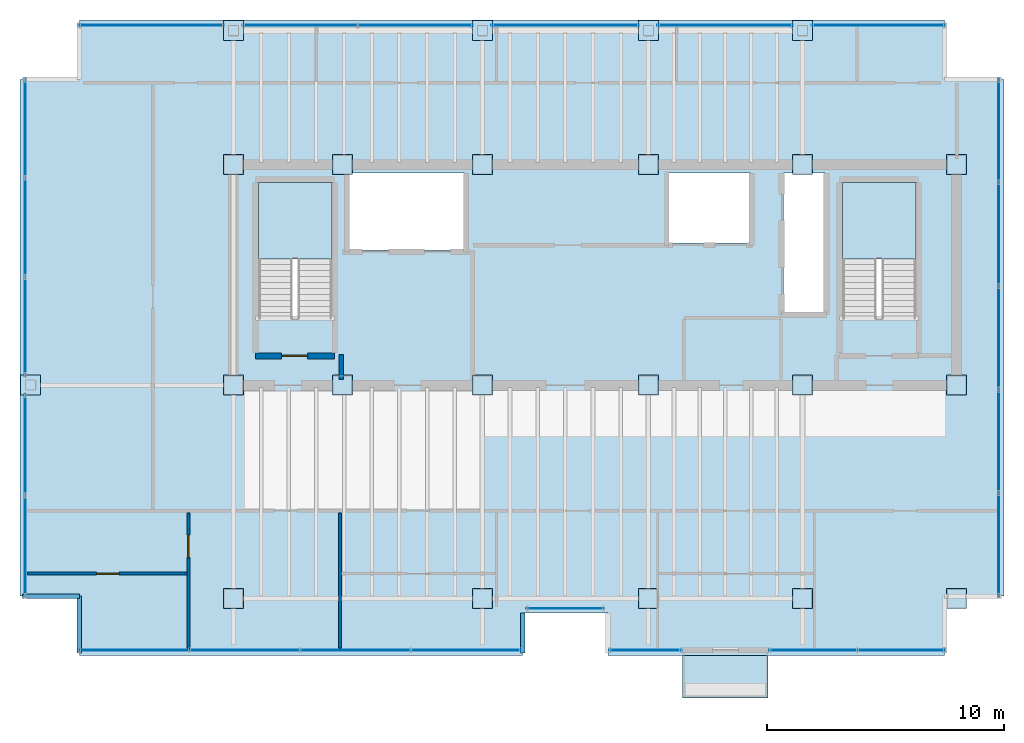
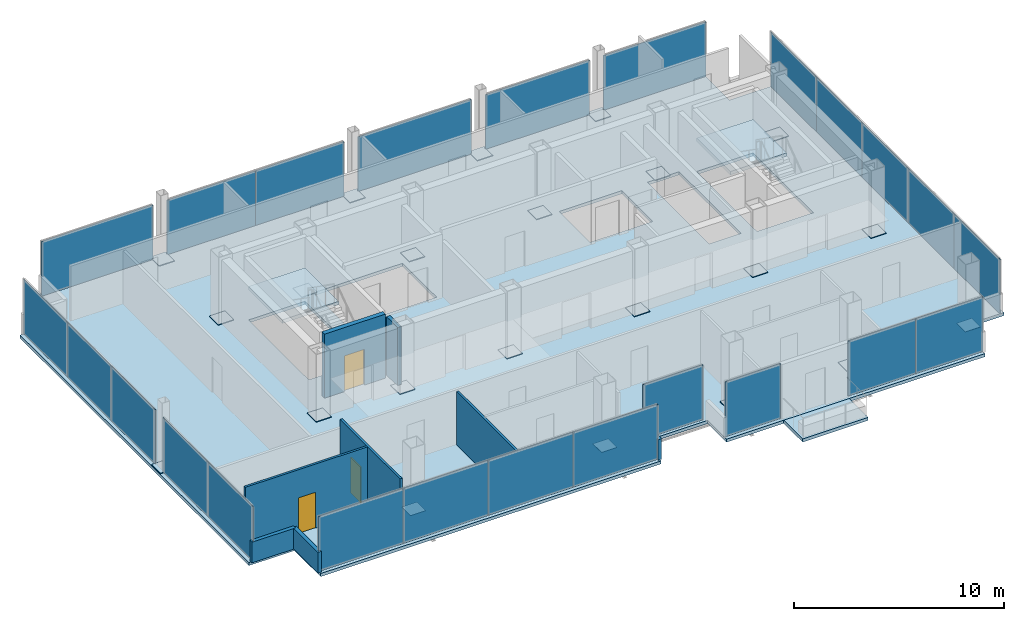
# One storey, part 14 of 17: 46 plates, 8 walls, 4 slabs, 3 doors, 8 openings, 14 elements without a shape of their own.
"""IFC4 building model written with IfcOpenShell, lengths in metres."""

from ifc_helpers import new_model, si_unit, direction, frame, frame_2d, origin, origin_2d, place, context, subcontext, project, spatial, polyline, rectangle, outline, extrude, material, layer, layer_set, type_object, element, fill, aggregate, save


model = new_model("IFC4")

# Units and contexts
model_context = context("Model", 3, precision=1e-05, world=origin(), true_north=direction((0.0, 1.0)))
body_context = subcontext(model_context, "Body", "Model", "MODEL_VIEW")
ifc_project = project(units=[si_unit("LENGTHUNIT", "METRE"), si_unit("AREAUNIT", "SQUARE_METRE"), si_unit("VOLUMEUNIT", "CUBIC_METRE"), si_unit("PLANEANGLEUNIT", "RADIAN"), si_unit("MASSUNIT", "GRAM", prefix="KILO")], contexts=[model_context])

# Site, building, storey
site_placement = place(None, origin())
site = spatial("IfcSite", under=ifc_project, at=site_placement, CompositionType="ELEMENT")
building_placement = place(site_placement, origin())
building = spatial("IfcBuilding", under=site, at=building_placement, Name="Noeulbin Bourse Tower", CompositionType="ELEMENT")
storey_placement = place(building_placement, frame((0.0, 0.0, 265.699951171875)))
storey = spatial("IfcBuildingStorey", under=building, at=storey_placement, Name="L66", CompositionType="ELEMENT", Elevation=265.699951171875)

# Curtain wall, plate
ifc_material_1 = material(Name="High-Selectivity Low-Iron Glazing", Category="glass")
curtain_wall_type = type_object("IfcCurtainWallType", Name="CW-SYS-4", PredefinedType="NOTDEFINED", material=ifc_material_1)
curtain_wall_1_placement = place(storey_placement, origin())
curtain_wall_1 = element("IfcCurtainWall", 1, at=curtain_wall_1_placement, inside=storey, type_object=curtain_wall_type, Name="Unitised Curtain Wall CW-L66-SREC", PredefinedType="NOTDEFINED")
ifc_layer_1 = layer(ifc_material_1, 0.035888671875)
ifc_layer_set_1 = layer_set([ifc_layer_1], Name="High-Selectivity Low-Iron Glazing")
plate_type_1 = type_object("IfcPlateType", Name="CW-SYS-4-PNL", PredefinedType="CURTAIN_PANEL", material=ifc_layer_set_1)
plate_1_placement = place(storey_placement, frame((27.5, 19.580078125, 0.0), z_axis=(0.0, 0.0, 1.0), x_axis=(1.0, 0.0, 0.0)))
plate_1 = element("IfcPlate", 2, at=plate_1_placement, type_object=plate_type_1, Name="Glazed Curtain Panel CW-L66-SREC-P00", PredefinedType="CURTAIN_PANEL", context=body_context, shape_type="SweptSolid", body=[
    extrude(rectangle(XDim=3.300048828125, YDim=0.035888671875, at=origin_2d()), origin(), (0.0, 0.0, 1.0), 3.179931640625),
])
aggregate(curtain_wall_1, [plate_1])

# Curtain wall, plates
curtain_wall_2_placement = place(storey_placement, origin())
curtain_wall_2 = element("IfcCurtainWall", 3, at=curtain_wall_2_placement, inside=storey, type_object=curtain_wall_type, Name="Unitised Curtain Wall CW-L66-S1", PredefinedType="NOTDEFINED")
plate_2_placement = place(storey_placement, frame((9.313720703125, 17.820068359375, 0.0), z_axis=(0.0, 0.0, 1.0), x_axis=(1.0, 0.0, 0.0)))
plate_2 = element("IfcPlate", 4, at=plate_2_placement, type_object=plate_type_1, Name="Glazed Curtain Panel CW-L66-S1-P00", PredefinedType="CURTAIN_PANEL", context=body_context, shape_type="SweptSolid", body=[
    extrude(rectangle(XDim=4.66748046875, YDim=0.035888671875, at=origin_2d()), origin(), (0.0, 0.0, 1.0), 3.179931640625),
])
plate_3_placement = place(storey_placement, frame((13.981201171875, 17.820068359375, 0.0), z_axis=(0.0, 0.0, 1.0), x_axis=(1.0, 0.0, 0.0)))
plate_3 = element("IfcPlate", 5, at=plate_3_placement, type_object=plate_type_1, Name="Glazed Curtain Panel CW-L66-S1-P01", PredefinedType="CURTAIN_PANEL", context=body_context, shape_type="SweptSolid", body=[
    extrude(rectangle(XDim=4.66748046875, YDim=0.035888671875, at=origin_2d()), origin(), (0.0, 0.0, 1.0), 3.179931640625),
])
plate_4_placement = place(storey_placement, frame((18.648681640625, 17.820068359375, 0.0), z_axis=(0.0, 0.0, 1.0), x_axis=(1.0, 0.0, 0.0)))
plate_4 = element("IfcPlate", 6, at=plate_4_placement, type_object=plate_type_1, Name="Glazed Curtain Panel CW-L66-S1-P02", PredefinedType="CURTAIN_PANEL", context=body_context, shape_type="SweptSolid", body=[
    extrude(rectangle(XDim=4.66748046875, YDim=0.035888671875, at=origin_2d()), origin(), (0.0, 0.0, 1.0), 3.179931640625),
])
plate_5_placement = place(storey_placement, frame((23.31640625, 17.820068359375, 0.0), z_axis=(0.0, 0.0, 1.0), x_axis=(1.0, 0.0, 0.0)))
plate_5 = element("IfcPlate", 7, at=plate_5_placement, type_object=plate_type_1, Name="Glazed Curtain Panel CW-L66-S1-P03", PredefinedType="CURTAIN_PANEL", context=body_context, shape_type="SweptSolid", body=[
    extrude(rectangle(XDim=4.66748046875, YDim=0.035888671875, at=origin_2d()), origin(), (0.0, 0.0, 1.0), 3.179931640625),
])
aggregate(curtain_wall_2, [plate_2, plate_3, plate_4, plate_5])

# Curtain wall, plate
curtain_wall_3_placement = place(storey_placement, origin())
curtain_wall_3 = element("IfcCurtainWall", 8, at=curtain_wall_3_placement, inside=storey, type_object=curtain_wall_type, Name="Unitised Curtain Wall CW-L66-S2", PredefinedType="NOTDEFINED")
plate_6_placement = place(storey_placement, frame((30.875, 17.820068359375, 0.0), z_axis=(0.0, 0.0, 1.0), x_axis=(1.0, 0.0, 0.0)))
plate_6 = element("IfcPlate", 9, at=plate_6_placement, type_object=plate_type_1, Name="Glazed Curtain Panel CW-L66-S2-P00", PredefinedType="CURTAIN_PANEL", context=body_context, shape_type="SweptSolid", body=[
    extrude(rectangle(XDim=3.050048828125, YDim=0.035888671875, at=origin_2d()), origin(), (0.0, 0.0, 1.0), 3.179931640625),
])
aggregate(curtain_wall_3, [plate_6])

# Curtain wall, plates
curtain_wall_4_placement = place(storey_placement, origin())
curtain_wall_4 = element("IfcCurtainWall", 10, at=curtain_wall_4_placement, inside=storey, type_object=curtain_wall_type, Name="Unitised Curtain Wall CW-L66-S3", PredefinedType="NOTDEFINED")
plate_7_placement = place(storey_placement, frame((37.955078125, 17.820068359375, 0.0), z_axis=(0.0, 0.0, 1.0), x_axis=(1.0, 0.0, 0.0)))
plate_7 = element("IfcPlate", 11, at=plate_7_placement, type_object=plate_type_1, Name="Glazed Curtain Panel CW-L66-S3-P00", PredefinedType="CURTAIN_PANEL", context=body_context, shape_type="SweptSolid", body=[
    extrude(rectangle(XDim=3.7099609375, YDim=0.035888671875, at=origin_2d()), origin(), (0.0, 0.0, 1.0), 3.179931640625),
])
plate_8_placement = place(storey_placement, frame((41.6650390625, 17.820068359375, 0.0), z_axis=(0.0, 0.0, 1.0), x_axis=(1.0, 0.0, 0.0)))
plate_8 = element("IfcPlate", 12, at=plate_8_placement, type_object=plate_type_1, Name="Glazed Curtain Panel CW-L66-S3-P01", PredefinedType="CURTAIN_PANEL", context=body_context, shape_type="SweptSolid", body=[
    extrude(rectangle(XDim=3.7099609375, YDim=0.035888671875, at=origin_2d()), origin(), (0.0, 0.0, 1.0), 3.179931640625),
])
aggregate(curtain_wall_4, [plate_7, plate_8])

# Curtain wall, plate
curtain_wall_5_placement = place(storey_placement, origin())
curtain_wall_5 = element("IfcCurtainWall", 13, at=curtain_wall_5_placement, inside=storey, type_object=curtain_wall_type, Name="Unitised Curtain Wall CW-L66-N-S1", PredefinedType="NOTDEFINED")
plate_9_placement = place(storey_placement, frame((10.047607421875, 44.179931640625, 0.0), z_axis=(0.0, 0.0, 1.0), x_axis=(1.0, 0.0, 0.0)))
plate_9 = element("IfcPlate", 14, at=plate_9_placement, type_object=plate_type_1, Name="Glazed Curtain Panel CW-L66-N-S1-P00", PredefinedType="CURTAIN_PANEL", context=body_context, shape_type="SweptSolid", body=[
    extrude(rectangle(XDim=6.135009765625, YDim=0.035888671875, at=origin_2d()), origin(), (0.0, 0.0, 1.0), 3.179931640625),
])
aggregate(curtain_wall_5, [plate_9])

# Curtain wall, plates
curtain_wall_6_placement = place(storey_placement, origin())
curtain_wall_6 = element("IfcCurtainWall", 15, at=curtain_wall_6_placement, inside=storey, type_object=curtain_wall_type, Name="Unitised Curtain Wall CW-L66-N-S2", PredefinedType="NOTDEFINED")
plate_10_placement = place(storey_placement, frame((16.3173828125, 44.179931640625, 0.0), z_axis=(0.0, 0.0, 1.0), x_axis=(1.0, 0.0, 0.0)))
plate_10 = element("IfcPlate", 16, at=plate_10_placement, type_object=plate_type_1, Name="Glazed Curtain Panel CW-L66-N-S2-P00", PredefinedType="CURTAIN_PANEL", context=body_context, shape_type="SweptSolid", body=[
    extrude(rectangle(XDim=4.864990234375, YDim=0.035888671875, at=origin_2d()), origin(), (0.0, 0.0, 1.0), 3.179931640625),
])
plate_11_placement = place(storey_placement, frame((21.1826171875, 44.179931640625, 0.0), z_axis=(0.0, 0.0, 1.0), x_axis=(1.0, 0.0, 0.0)))
plate_11 = element("IfcPlate", 17, at=plate_11_placement, type_object=plate_type_1, Name="Glazed Curtain Panel CW-L66-N-S2-P01", PredefinedType="CURTAIN_PANEL", context=body_context, shape_type="SweptSolid", body=[
    extrude(rectangle(XDim=4.864990234375, YDim=0.035888671875, at=origin_2d()), origin(), (0.0, 0.0, 1.0), 3.179931640625),
])
aggregate(curtain_wall_6, [plate_10, plate_11])

# Curtain wall, plate
curtain_wall_7_placement = place(storey_placement, origin())
curtain_wall_7 = element("IfcCurtainWall", 18, at=curtain_wall_7_placement, inside=storey, type_object=curtain_wall_type, Name="Unitised Curtain Wall CW-L66-N-S3", PredefinedType="NOTDEFINED")
plate_12_placement = place(storey_placement, frame((27.5, 44.179931640625, 0.0), z_axis=(0.0, 0.0, 1.0), x_axis=(1.0, 0.0, 0.0)))
plate_12 = element("IfcPlate", 19, at=plate_12_placement, type_object=plate_type_1, Name="Glazed Curtain Panel CW-L66-N-S3-P00", PredefinedType="CURTAIN_PANEL", context=body_context, shape_type="SweptSolid", body=[
    extrude(rectangle(XDim=6.22998046875, YDim=0.035888671875, at=origin_2d()), origin(), (0.0, 0.0, 1.0), 3.179931640625),
])
aggregate(curtain_wall_7, [plate_12])

curtain_wall_8_placement = place(storey_placement, origin())
curtain_wall_8 = element("IfcCurtainWall", 20, at=curtain_wall_8_placement, inside=storey, type_object=curtain_wall_type, Name="Unitised Curtain Wall CW-L66-N-S4", PredefinedType="NOTDEFINED")
plate_13_placement = place(storey_placement, frame((34.25, 44.179931640625, 0.0), z_axis=(0.0, 0.0, 1.0), x_axis=(1.0, 0.0, 0.0)))
plate_13 = element("IfcPlate", 21, at=plate_13_placement, type_object=plate_type_1, Name="Glazed Curtain Panel CW-L66-N-S4-P00", PredefinedType="CURTAIN_PANEL", context=body_context, shape_type="SweptSolid", body=[
    extrude(rectangle(XDim=5.72998046875, YDim=0.035888671875, at=origin_2d()), origin(), (0.0, 0.0, 1.0), 3.179931640625),
])
aggregate(curtain_wall_8, [plate_13])

curtain_wall_9_placement = place(storey_placement, origin())
curtain_wall_9 = element("IfcCurtainWall", 22, at=curtain_wall_9_placement, inside=storey, type_object=curtain_wall_type, Name="Unitised Curtain Wall CW-L66-N-S5", PredefinedType="NOTDEFINED")
plate_14_placement = place(storey_placement, frame((40.702392578125, 44.179931640625, 0.0), z_axis=(0.0, 0.0, 1.0), x_axis=(1.0, 0.0, 0.0)))
plate_14 = element("IfcPlate", 23, at=plate_14_placement, type_object=plate_type_1, Name="Glazed Curtain Panel CW-L66-N-S5-P00", PredefinedType="CURTAIN_PANEL", context=body_context, shape_type="SweptSolid", body=[
    extrude(rectangle(XDim=5.635009765625, YDim=0.035888671875, at=origin_2d()), origin(), (0.0, 0.0, 1.0), 3.179931640625),
])
aggregate(curtain_wall_9, [plate_14])

# Curtain wall, plates
curtain_wall_10_placement = place(storey_placement, origin())
curtain_wall_10 = element("IfcCurtainWall", 24, at=curtain_wall_10_placement, inside=storey, type_object=curtain_wall_type, Name="Unitised Curtain Wall CW-L66-W-S1", PredefinedType="NOTDEFINED")
plate_15_placement = place(storey_placement, frame((4.719970703125, 22.213623046875, 0.0), z_axis=(0.0, 0.0, 1.0), x_axis=(0.0, 1.0, 0.0)))
plate_15 = element("IfcPlate", 25, at=plate_15_placement, type_object=plate_type_1, Name="Glazed Curtain Panel CW-L66-W-S1-P00", PredefinedType="CURTAIN_PANEL", context=body_context, shape_type="SweptSolid", body=[
    extrude(rectangle(XDim=4.267578125, YDim=0.035888671875, at=origin_2d()), origin(), (0.0, 0.0, 1.0), 3.179931640625),
])
plate_16_placement = place(storey_placement, frame((4.719970703125, 26.481201171875, 0.0), z_axis=(0.0, 0.0, 1.0), x_axis=(0.0, 1.0, 0.0)))
plate_16 = element("IfcPlate", 26, at=plate_16_placement, type_object=plate_type_1, Name="Glazed Curtain Panel CW-L66-W-S1-P01", PredefinedType="CURTAIN_PANEL", context=body_context, shape_type="SweptSolid", body=[
    extrude(rectangle(XDim=4.267578125, YDim=0.035888671875, at=origin_2d()), origin(), (0.0, 0.0, 1.0), 3.179931640625),
])
aggregate(curtain_wall_10, [plate_15, plate_16])

curtain_wall_11_placement = place(storey_placement, origin())
curtain_wall_11 = element("IfcCurtainWall", 27, at=curtain_wall_11_placement, inside=storey, type_object=curtain_wall_type, Name="Unitised Curtain Wall CW-L66-W-S2", PredefinedType="NOTDEFINED")
plate_17_placement = place(storey_placement, frame((4.719970703125, 31.47412109375, 0.0), z_axis=(0.0, 0.0, 1.0), x_axis=(0.0, 1.0, 0.0)))
plate_17 = element("IfcPlate", 28, at=plate_17_placement, type_object=plate_type_1, Name="Glazed Curtain Panel CW-L66-W-S2-P00", PredefinedType="CURTAIN_PANEL", context=body_context, shape_type="SweptSolid", body=[
    extrude(rectangle(XDim=4.17822265625, YDim=0.035888671875, at=origin_2d()), origin(), (0.0, 0.0, 1.0), 3.179931640625),
])
plate_18_placement = place(storey_placement, frame((4.719970703125, 35.652587890625, 0.0), z_axis=(0.0, 0.0, 1.0), x_axis=(0.0, 1.0, 0.0)))
plate_18 = element("IfcPlate", 29, at=plate_18_placement, type_object=plate_type_1, Name="Glazed Curtain Panel CW-L66-W-S2-P01", PredefinedType="CURTAIN_PANEL", context=body_context, shape_type="SweptSolid", body=[
    extrude(rectangle(XDim=4.17822265625, YDim=0.035888671875, at=origin_2d()), origin(), (0.0, 0.0, 1.0), 3.179931640625),
])
plate_19_placement = place(storey_placement, frame((4.719970703125, 39.830810546875, 0.0), z_axis=(0.0, 0.0, 1.0), x_axis=(0.0, 1.0, 0.0)))
plate_19 = element("IfcPlate", 30, at=plate_19_placement, type_object=plate_type_1, Name="Glazed Curtain Panel CW-L66-W-S2-P02", PredefinedType="CURTAIN_PANEL", context=body_context, shape_type="SweptSolid", body=[
    extrude(rectangle(XDim=4.17822265625, YDim=0.035888671875, at=origin_2d()), origin(), (0.0, 0.0, 1.0), 3.179931640625),
])
aggregate(curtain_wall_11, [plate_17, plate_18, plate_19])

curtain_wall_12_placement = place(storey_placement, origin())
curtain_wall_12 = element("IfcCurtainWall", 31, at=curtain_wall_12_placement, inside=storey, type_object=curtain_wall_type, Name="Unitised Curtain Wall CW-L66-E", PredefinedType="NOTDEFINED")
plate_20_placement = place(storey_placement, frame((45.780029296875, 22.263916015625, 0.0), z_axis=(0.0, 0.0, 1.0), x_axis=(0.0, 1.0, 0.0)))
plate_20 = element("IfcPlate", 32, at=plate_20_placement, type_object=plate_type_1, Name="Glazed Curtain Panel CW-L66-E-P00", PredefinedType="CURTAIN_PANEL", context=body_context, shape_type="SweptSolid", body=[
    extrude(rectangle(XDim=4.367919921875, YDim=0.035888671875, at=origin_2d()), origin(), (0.0, 0.0, 1.0), 3.179931640625),
])
plate_21_placement = place(storey_placement, frame((45.780029296875, 26.632080078125, 0.0), z_axis=(0.0, 0.0, 1.0), x_axis=(0.0, 1.0, 0.0)))
plate_21 = element("IfcPlate", 33, at=plate_21_placement, type_object=plate_type_1, Name="Glazed Curtain Panel CW-L66-E-P01", PredefinedType="CURTAIN_PANEL", context=body_context, shape_type="SweptSolid", body=[
    extrude(rectangle(XDim=4.367919921875, YDim=0.035888671875, at=origin_2d()), origin(), (0.0, 0.0, 1.0), 3.179931640625),
])
plate_22_placement = place(storey_placement, frame((45.780029296875, 31.0, 0.0), z_axis=(0.0, 0.0, 1.0), x_axis=(0.0, 1.0, 0.0)))
plate_22 = element("IfcPlate", 34, at=plate_22_placement, type_object=plate_type_1, Name="Glazed Curtain Panel CW-L66-E-P02", PredefinedType="CURTAIN_PANEL", context=body_context, shape_type="SweptSolid", body=[
    extrude(rectangle(XDim=4.367919921875, YDim=0.035888671875, at=origin_2d()), origin(), (0.0, 0.0, 1.0), 3.179931640625),
])
plate_23_placement = place(storey_placement, frame((45.780029296875, 35.367919921875, 0.0), z_axis=(0.0, 0.0, 1.0), x_axis=(0.0, 1.0, 0.0)))
plate_23 = element("IfcPlate", 35, at=plate_23_placement, type_object=plate_type_1, Name="Glazed Curtain Panel CW-L66-E-P03", PredefinedType="CURTAIN_PANEL", context=body_context, shape_type="SweptSolid", body=[
    extrude(rectangle(XDim=4.367919921875, YDim=0.035888671875, at=origin_2d()), origin(), (0.0, 0.0, 1.0), 3.179931640625),
])
plate_24_placement = place(storey_placement, frame((45.780029296875, 39.736083984375, 0.0), z_axis=(0.0, 0.0, 1.0), x_axis=(0.0, 1.0, 0.0)))
plate_24 = element("IfcPlate", 36, at=plate_24_placement, type_object=plate_type_1, Name="Glazed Curtain Panel CW-L66-E-P04", PredefinedType="CURTAIN_PANEL", context=body_context, shape_type="SweptSolid", body=[
    extrude(rectangle(XDim=4.367919921875, YDim=0.035888671875, at=origin_2d()), origin(), (0.0, 0.0, 1.0), 3.179931640625),
])
aggregate(curtain_wall_12, [plate_20, plate_21, plate_22, plate_23, plate_24])

# Plates
ifc_material_2 = material(Name="Steel S355", Category="steel")
ifc_layer_2 = layer(ifc_material_2, 0.030029296875)
ifc_layer_set_2 = layer_set([ifc_layer_2], Name="Steel S355")
plate_type_2 = type_object("IfcPlateType", Name="PLT-BN1", PredefinedType="USERDEFINED", material=ifc_layer_set_2)
for number, where, z_axis, x_axis, name in (
    (37, (13.5, 29.0, 0.0048828125), (0.0, 0.0, 1.0), (1.0, 0.0, 0.0), "Mega-Column Splice Plate BN1-L66-01"),
    (38, (13.5, 38.300048828125, 0.0048828125), (0.0, 0.0, 1.0), (1.0, 0.0, 0.0), "Mega-Column Splice Plate BN1-L66-02"),
    (39, (18.10009765625, 29.0, 0.0048828125), (0.0, 0.0, 1.0), (1.0, 0.0, 0.0), "Mega-Column Splice Plate BN1-L66-03"),
    (40, (18.10009765625, 38.300048828125, 0.0048828125), (0.0, 0.0, 1.0), (1.0, 0.0, 0.0), "Mega-Column Splice Plate BN1-L66-04"),
    (41, (24.0, 29.0, 0.0048828125), (0.0, 0.0, 1.0), (1.0, 0.0, 0.0), "Mega-Column Splice Plate BN1-L66-05"),
    (42, (24.0, 38.300048828125, 0.0048828125), (0.0, 0.0, 1.0), (1.0, 0.0, 0.0), "Mega-Column Splice Plate BN1-L66-06"),
    (43, (31.0, 29.0, 0.0048828125), (0.0, 0.0, 1.0), (1.0, 0.0, 0.0), "Mega-Column Splice Plate BN1-L66-07"),
    (44, (31.0, 38.300048828125, 0.0048828125), (0.0, 0.0, 1.0), (1.0, 0.0, 0.0), "Mega-Column Splice Plate BN1-L66-08"),
    (45, (37.5, 29.0, 0.0048828125), (0.0, 0.0, 1.0), (1.0, 0.0, 0.0), "Mega-Column Splice Plate BN1-L66-09"),
    (46, (37.5, 38.300048828125, 0.0048828125), (0.0, 0.0, 1.0), (1.0, 0.0, 0.0), "Mega-Column Splice Plate BN1-L66-10"),
    (47, (44.0, 29.0, 0.0048828125), (0.0, 0.0, 1.0), (1.0, 0.0, 0.0), "Mega-Column Splice Plate BN1-L66-11"),
    (48, (44.0, 38.300048828125, 0.0048828125), (0.0, 0.0, 1.0), (1.0, 0.0, 0.0), "Mega-Column Splice Plate BN1-L66-12"),
    (49, (13.5, 20.0, 0.0048828125), (0.0, 0.0, 1.0), (1.0, 0.0, 0.0), "Mega-Column Splice Plate BN1-L66-13"),
    (50, (24.0, 20.0, 0.0048828125), (0.0, 0.0, 1.0), (1.0, 0.0, 0.0), "Mega-Column Splice Plate BN1-L66-14"),
    (51, (31.0, 20.0, 0.0048828125), (0.0, 0.0, 1.0), (1.0, 0.0, 0.0), "Mega-Column Splice Plate BN1-L66-15"),
    (52, (37.5, 20.0, 0.0048828125), (0.0, 0.0, 1.0), (1.0, 0.0, 0.0), "Mega-Column Splice Plate BN1-L66-16"),
    (53, (44.0, 20.0, 0.0048828125), (0.0, 0.0, 1.0), (1.0, 0.0, 0.0), "Mega-Column Splice Plate BN1-L66-17"),
    (54, (4.949951171875, 29.0, 0.0048828125), (0.0, 0.0, 1.0), (1.0, 0.0, 0.0), "Perimeter Column Splice Plate BN1-L66-01"),
    (55, (13.5, 43.949951171875, 0.0048828125), (0.0, 0.0, 1.0), (1.0, 0.0, 0.0), "Perimeter Column Splice Plate BN1-L66-02"),
    (56, (24.0, 43.949951171875, 0.0048828125), (0.0, 0.0, 1.0), (1.0, 0.0, 0.0), "Perimeter Column Splice Plate BN1-L66-03"),
    (57, (31.0, 43.949951171875, 0.0048828125), (0.0, 0.0, 1.0), (1.0, 0.0, 0.0), "Perimeter Column Splice Plate BN1-L66-04"),
    (58, (37.5, 43.949951171875, 0.0048828125), (0.0, 0.0, 1.0), (1.0, 0.0, 0.0), "Perimeter Column Splice Plate BN1-L66-05"),
):
    element("IfcPlate", number, at=place(storey_placement, frame(where, z_axis=z_axis, x_axis=x_axis)), inside=storey, type_object=plate_type_2, Name=name, ObjectType="SPLICE PLATE", PredefinedType="USERDEFINED", context=body_context, shape_type="SweptSolid", body=[
        extrude(rectangle(XDim=0.85009765625, YDim=0.85009765625, at=origin_2d()), origin(), (0.0, 0.0, 1.0), 0.030029296875),
    ])

# Stair, slab
ifc_material_3 = material(Name="Concrete C40/50", Category="concrete")
stair_type = type_object("IfcStairType", Name="STR-CORE-1560", PredefinedType="HALF_TURN_STAIR", material=ifc_material_3)
stair_1_placement = place(storey_placement, origin())
stair_1 = element("IfcStair", 59, at=stair_1_placement, inside=storey, type_object=stair_type, Name="L66 ST-1", PredefinedType="HALF_TURN_STAIR")
ifc_layer_3 = layer(ifc_material_3, 0.199951171875)
ifc_layer_set_3 = layer_set([ifc_layer_3], Name="Concrete C40/50")
slab_type_1 = type_object("IfcSlabType", Name="SLB-LND-200", PredefinedType="LANDING", material=ifc_layer_set_3)
slab_1_placement = place(storey_placement, frame((0.0, 0.0, 1.75)))
slab_1 = element("IfcSlab", 60, at=slab_1_placement, type_object=slab_type_1, Name="ST-1 landing 1", PredefinedType="LANDING", context=body_context, shape_type="SweptSolid", body=[
    extrude(outline(polyline([(17.64990234375, 34.330078125), (17.64990234375, 37.5439453125), (14.550048828125, 37.5439453125), (14.550048828125, 34.330078125), (17.64990234375, 34.330078125)])), origin(), (0.0, 0.0, 1.0), 0.199951171875),
])
aggregate(stair_1, [slab_1])

stair_2_placement = place(storey_placement, origin())
stair_2 = element("IfcStair", 61, at=stair_2_placement, inside=storey, type_object=stair_type, Name="L66 ST-2", PredefinedType="HALF_TURN_STAIR")
slab_2_placement = place(storey_placement, frame((0.0, 0.0, 1.75)))
slab_2 = element("IfcSlab", 62, at=slab_2_placement, type_object=slab_type_1, Name="ST-2 landing 1", PredefinedType="LANDING", context=body_context, shape_type="SweptSolid", body=[
    extrude(outline(polyline([(42.280029296875, 34.330078125), (42.280029296875, 37.5439453125), (39.179931640625, 37.5439453125), (39.179931640625, 34.330078125), (42.280029296875, 34.330078125)])), origin(), (0.0, 0.0, 1.0), 0.199951171875),
])
aggregate(stair_2, [slab_2])

# Slab, openings
ifc_layer_4 = layer(ifc_material_3, 0.179931640625)
ifc_layer_set_4 = layer_set([ifc_layer_4], Name="Concrete C40/50")
slab_type_2 = type_object("IfcSlabType", Name="SLB-TYP-180", PredefinedType="FLOOR", material=ifc_layer_set_4)
slab_3_placement = place(storey_placement, frame((0.0, 0.0, -0.179931640625)))
slab_3 = element("IfcSlab", 63, at=slab_3_placement, inside=storey, type_object=slab_type_2, Name="Tower Structural Floor Slab L66", PredefinedType="FLOOR", context=body_context, shape_type="SweptSolid", body=[
    extrude(outline(polyline([(7.0, 17.60009765625), (25.699951171875, 17.60009765625), (25.699951171875, 19.39990234375), (29.300048828125, 19.39990234375), (29.300048828125, 17.60009765625), (43.5, 17.60009765625), (43.5, 20.10009765625), (46.0, 20.10009765625), (46.0, 41.89990234375), (43.5, 41.89990234375), (43.5, 44.39990234375), (7.0, 44.39990234375), (7.0, 41.89990234375), (4.5, 41.89990234375), (4.5, 20.10009765625), (7.0, 20.10009765625), (7.0, 17.60009765625)]), holes=[polyline([(17.64990234375, 31.81005859375), (17.64990234375, 37.5439453125), (14.550048828125, 37.5439453125), (14.550048828125, 31.81005859375), (17.64990234375, 31.81005859375)]), polyline([(42.280029296875, 31.81005859375), (42.280029296875, 37.5439453125), (39.179931640625, 37.5439453125), (39.179931640625, 31.81005859375), (42.280029296875, 31.81005859375)]), polyline([(18.35009765625, 34.699951171875), (23.25, 34.699951171875), (23.25, 37.949951171875), (18.35009765625, 37.949951171875), (18.35009765625, 34.699951171875)]), polyline([(36.699951171875, 32.050048828125), (38.449951171875, 32.050048828125), (38.449951171875, 37.949951171875), (36.699951171875, 37.949951171875), (36.699951171875, 32.050048828125)]), polyline([(31.85009765625, 35.0), (35.300048828125, 35.0), (35.300048828125, 37.949951171875), (31.85009765625, 37.949951171875), (31.85009765625, 35.0)])]), origin(), (0.0, 0.0, 1.0), 0.179931640625),
])
opening_1_placement = place(slab_3_placement, frame((0.0, 0.0, -0.010009765625)))
element("IfcOpeningElement", 64, at=opening_1_placement, cuts=slab_3, Name="Slab Shaft Opening SLB-L66-TWR-1", PredefinedType="OPENING", context=body_context, shape_type="SweptSolid", body=[
    extrude(outline(polyline([(17.64990234375, 31.81005859375), (17.64990234375, 37.5439453125), (14.550048828125, 37.5439453125), (14.550048828125, 31.81005859375), (17.64990234375, 31.81005859375)])), origin(), (0.0, 0.0, 1.0), 0.199951171875),
])
opening_2_placement = place(slab_3_placement, frame((0.0, 0.0, -0.010009765625)))
element("IfcOpeningElement", 65, at=opening_2_placement, cuts=slab_3, Name="Slab Shaft Opening SLB-L66-TWR-2", PredefinedType="OPENING", context=body_context, shape_type="SweptSolid", body=[
    extrude(outline(polyline([(42.280029296875, 31.81005859375), (42.280029296875, 37.5439453125), (39.179931640625, 37.5439453125), (39.179931640625, 31.81005859375), (42.280029296875, 31.81005859375)])), origin(), (0.0, 0.0, 1.0), 0.199951171875),
])
opening_3_placement = place(slab_3_placement, frame((0.0, 0.0, -0.010009765625)))
element("IfcOpeningElement", 66, at=opening_3_placement, cuts=slab_3, Name="Slab Shaft Opening SLB-L66-TWR-3", PredefinedType="OPENING", context=body_context, shape_type="SweptSolid", body=[
    extrude(outline(polyline([(18.35009765625, 34.699951171875), (23.25, 34.699951171875), (23.25, 37.949951171875), (18.35009765625, 37.949951171875), (18.35009765625, 34.699951171875)])), origin(), (0.0, 0.0, 1.0), 0.199951171875),
])
opening_4_placement = place(slab_3_placement, frame((0.0, 0.0, -0.010009765625)))
element("IfcOpeningElement", 67, at=opening_4_placement, cuts=slab_3, Name="Slab Shaft Opening SLB-L66-TWR-4", PredefinedType="OPENING", context=body_context, shape_type="SweptSolid", body=[
    extrude(outline(polyline([(36.699951171875, 32.050048828125), (38.449951171875, 32.050048828125), (38.449951171875, 37.949951171875), (36.699951171875, 37.949951171875), (36.699951171875, 32.050048828125)])), origin(), (0.0, 0.0, 1.0), 0.199951171875),
])
opening_5_placement = place(slab_3_placement, frame((0.0, 0.0, -0.010009765625)))
element("IfcOpeningElement", 68, at=opening_5_placement, cuts=slab_3, Name="Slab Shaft Opening SLB-L66-TWR-5", PredefinedType="OPENING", context=body_context, shape_type="SweptSolid", body=[
    extrude(outline(polyline([(31.85009765625, 35.0), (35.300048828125, 35.0), (35.300048828125, 37.949951171875), (31.85009765625, 37.949951171875), (31.85009765625, 35.0)])), origin(), (0.0, 0.0, 1.0), 0.199951171875),
])

# Slab
slab_4_placement = place(storey_placement, frame((0.0, 0.0, -0.179931640625)))
element("IfcSlab", 69, at=slab_4_placement, inside=storey, type_object=slab_type_2, Name="Cantilevered Tree-Balcony Slab L66", PredefinedType="FLOOR", context=body_context, shape_type="SweptSolid", body=[
    extrude(outline(polyline([(32.449951171875, 15.800048828125), (36.050048828125, 15.800048828125), (36.050048828125, 17.60009765625), (32.449951171875, 17.60009765625), (32.449951171875, 15.800048828125)])), origin(), (0.0, 0.0, 1.0), 0.179931640625),
])

# Walls
ifc_layer_5 = layer(ifc_material_3, 0.199951171875)
ifc_layer_set_5 = layer_set([ifc_layer_5], Name="Concrete C40/50")
wall_type_1 = type_object("IfcWallType", Name="WAL-FIRE-200", PredefinedType="STANDARD", material=ifc_layer_set_5)
wall_1_placement = place(storey_placement, frame((18.050048828125, 29.235107421875, 0.0), z_axis=(0.0, 0.0, 1.0), x_axis=(0.0, 1.0, 0.0)))
element("IfcWall", 70, at=wall_1_placement, inside=storey, type_object=wall_type_1, Name="Interior Partition Wall L66-09", PredefinedType="STANDARD", context=body_context, shape_type="SweptSolid", body=[
    extrude(rectangle(XDim=1.06494140625, YDim=0.199951171875, at=frame_2d((0.532470703125, 0.0))), origin(), (0.0, 0.0, 1.0), 3.400146484375),
])
ifc_layer_6 = layer(ifc_material_3, 0.199951171875)
ifc_layer_set_6 = layer_set([ifc_layer_6], Name="Concrete C40/50")
wall_type_2 = type_object("IfcWallType", Name="WAL-PAR-200", PredefinedType="PARAPET", material=ifc_layer_set_6)
wall_2_placement = place(storey_placement, frame((4.60009765625, 20.10009765625, 0.0), z_axis=(0.0, 0.0, 1.0), x_axis=(1.0, 0.0, 0.0)))
element("IfcWall", 71, at=wall_2_placement, inside=storey, type_object=wall_type_2, Name="Corner Notch Parapet L66-SW1", PredefinedType="PARAPET", context=body_context, shape_type="SweptSolid", body=[
    extrude(rectangle(XDim=2.39990234375, YDim=0.199951171875, at=frame_2d((1.199951171875, 0.0))), origin(), (0.0, 0.0, 1.0), 1.199951171875),
])
wall_3_placement = place(storey_placement, frame((7.0, 20.10009765625, 0.0), z_axis=(0.0, 0.0, 1.0), x_axis=(0.0, -1.0, 0.0)))
element("IfcWall", 72, at=wall_3_placement, inside=storey, type_object=wall_type_2, Name="Corner Notch Parapet L66-SW2", PredefinedType="PARAPET", context=body_context, shape_type="SweptSolid", body=[
    extrude(rectangle(XDim=2.400146484375, YDim=0.199951171875, at=frame_2d((1.2001953125, 0.0))), origin(), (0.0, 0.0, 1.0), 1.199951171875),
])
wall_4_placement = place(storey_placement, frame((25.699951171875, 17.699951171875, 0.0), z_axis=(0.0, 0.0, 1.0), x_axis=(0.0, 1.0, 0.0)))
element("IfcWall", 73, at=wall_4_placement, inside=storey, type_object=wall_type_2, Name="Sky-Garden Recess Parapet L66-W", PredefinedType="PARAPET", context=body_context, shape_type="SweptSolid", body=[
    extrude(rectangle(XDim=1.699951171875, YDim=0.199951171875, at=frame_2d((0.85009765625, 0.0))), origin(), (0.0, 0.0, 1.0), 1.199951171875),
])

# Wall, opening, door
ifc_material_4 = material(Name="Steel Stud Gypsum Partition", Category="steel")
ifc_layer_7 = layer(ifc_material_4, 0.1201171875)
ifc_layer_set_7 = layer_set([ifc_layer_7], Name="Steel Stud Gypsum Partition")
wall_type_3 = type_object("IfcWallType", Name="WAL-PRT-120", PredefinedType="PARTITIONING", material=ifc_layer_set_7)
wall_5_placement = place(storey_placement, frame((4.81005859375, 21.050048828125, 0.0), z_axis=(0.0, 0.0, 1.0), x_axis=(1.0, 0.0, 0.0)))
wall_5 = element("IfcWall", 74, at=wall_5_placement, inside=storey, type_object=wall_type_3, Name="Interior Partition Wall L66-05", PredefinedType="PARTITIONING", context=body_context, shape_type="SweptSolid", body=[
    extrude(rectangle(XDim=6.7900390625, YDim=0.1201171875, at=frame_2d((3.39501953125, 0.0))), origin(), (0.0, 0.0, 1.0), 3.719970703125),
])
opening_6_placement = place(wall_5_placement, frame((2.919921875, 0.0, 0.0)))
opening_6 = element("IfcOpeningElement", 75, at=opening_6_placement, cuts=wall_5, Name="Opening ID-09", PredefinedType="OPENING", context=body_context, shape_type="SweptSolid", body=[
    extrude(rectangle(XDim=0.949951171875, YDim=2.080078125, at=frame_2d((0.47509765625, 1.0400390625))), frame((0.0, 0.070068359375, 0.0), z_axis=(0.0, -1.0, 0.0), x_axis=(1.0, 0.0, 0.0)), (0.0, 0.0, 1.0), 0.14013671875),
])
ifc_material_5 = material(Name="Acoustic Solid-Core Timber", Category="wood")
door_type_1 = type_object("IfcDoorType", Name="DR-SINGLE-950", OperationType="SINGLE_SWING_LEFT", PredefinedType="DOOR", material=ifc_material_5)
door_1_placement = place(opening_6_placement, origin())
door_1 = element("IfcDoor", 76, at=door_1_placement, inside=storey, type_object=door_type_1, Name="Interior Door L66-07", OperationType="SINGLE_SWING_RIGHT", OverallHeight=2.080078125, OverallWidth=0.949951171875, PredefinedType="DOOR", context=body_context, shape_type="SweptSolid", body=[
    extrude(rectangle(XDim=0.949951171875, YDim=2.080078125, at=frame_2d((0.47509765625, 1.0400390625))), frame((0.0, 0.02490234375, 0.0), z_axis=(0.0, -1.0, 0.0), x_axis=(1.0, 0.0, 0.0)), (0.0, 0.0, 1.0), 0.050048828125),
])
fill(opening_6, door_1)

wall_6_placement = place(storey_placement, frame((11.60009765625, 17.909912109375, 0.0), z_axis=(0.0, 0.0, 1.0), x_axis=(0.0, 1.0, 0.0)))
wall_6 = element("IfcWall", 77, at=wall_6_placement, inside=storey, type_object=wall_type_3, Name="Interior Partition Wall L66-15", PredefinedType="PARTITIONING", context=body_context, shape_type="SweptSolid", body=[
    extrude(rectangle(XDim=5.705078125, YDim=0.1201171875, at=frame_2d((2.8525390625, 0.0))), origin(), (0.0, 0.0, 1.0), 3.719970703125),
])
opening_7_placement = place(wall_6_placement, frame((3.81494140625, 0.0, 0.0)))
opening_7 = element("IfcOpeningElement", 78, at=opening_7_placement, cuts=wall_6, Name="Opening ID-09", PredefinedType="OPENING", context=body_context, shape_type="SweptSolid", body=[
    extrude(rectangle(XDim=0.949951171875, YDim=2.080078125, at=frame_2d((0.47509765625, 1.0400390625))), frame((0.0, 0.070068359375, 0.0), z_axis=(0.0, -1.0, 0.0), x_axis=(1.0, 0.0, 0.0)), (0.0, 0.0, 1.0), 0.14013671875),
])
door_2_placement = place(opening_7_placement, origin())
door_2 = element("IfcDoor", 79, at=door_2_placement, inside=storey, type_object=door_type_1, Name="Interior Door L66-08", OperationType="SINGLE_SWING_LEFT", OverallHeight=2.080078125, OverallWidth=0.949951171875, PredefinedType="DOOR", context=body_context, shape_type="SweptSolid", body=[
    extrude(rectangle(XDim=0.949951171875, YDim=2.080078125, at=frame_2d((0.47509765625, 1.0400390625))), frame((0.0, 0.02490234375, 0.0), z_axis=(0.0, -1.0, 0.0), x_axis=(1.0, 0.0, 0.0)), (0.0, 0.0, 1.0), 0.050048828125),
])
fill(opening_7, door_2)

# Wall
wall_7_placement = place(storey_placement, frame((18.0, 17.909912109375, 0.0), z_axis=(0.0, 0.0, 1.0), x_axis=(0.0, 1.0, 0.0)))
element("IfcWall", 80, at=wall_7_placement, inside=storey, type_object=wall_type_3, Name="Interior Partition Wall L66-16", PredefinedType="PARTITIONING", context=body_context, shape_type="SweptSolid", body=[
    extrude(rectangle(XDim=5.705078125, YDim=0.1201171875, at=frame_2d((2.8525390625, 0.0))), origin(), (0.0, 0.0, 1.0), 3.10009765625),
])

# Wall, opening, door
ifc_layer_8 = layer(ifc_material_3, 0.25)
ifc_layer_set_8 = layer_set([ifc_layer_8], Name="Concrete C40/50")
wall_type_4 = type_object("IfcWallType", Name="WAL-SHFT-250", PredefinedType="STANDARD", material=ifc_layer_set_8)
wall_8_placement = place(storey_placement, frame((14.429931640625, 30.235107421875, 0.0), z_axis=(0.0, 0.0, 1.0), x_axis=(1.0, 0.0, 0.0)))
wall_8 = element("IfcWall", 81, at=wall_8_placement, inside=storey, type_object=wall_type_4, Name="Stair ST-1 South Shaft Wall L66", PredefinedType="STANDARD", context=body_context, shape_type="SweptSolid", body=[
    extrude(rectangle(XDim=3.340087890625, YDim=0.25, at=frame_2d((1.669921875, 0.0))), origin(), (0.0, 0.0, 1.0), 3.719970703125),
])
opening_8_placement = place(wall_8_placement, frame((1.10009765625, 0.0, 0.0)))
opening_8 = element("IfcOpeningElement", 82, at=opening_8_placement, cuts=wall_8, Name="Opening FD-11", PredefinedType="OPENING", context=body_context, shape_type="SweptSolid", body=[
    extrude(rectangle(XDim=1.10009765625, YDim=2.080078125, at=frame_2d((0.550048828125, 1.0400390625))), frame((0.0, 0.135009765625, 0.0), z_axis=(0.0, -1.0, 0.0), x_axis=(1.0, 0.0, 0.0)), (0.0, 0.0, 1.0), 0.27001953125),
])
ifc_material_6 = material(Name="Fire-Rated Insulated Steel", Category="steel")
door_type_2 = type_object("IfcDoorType", Name="DR-FD60-1100", OperationType="SINGLE_SWING_LEFT", PredefinedType="DOOR", material=ifc_material_6)
door_3_placement = place(opening_8_placement, origin())
door_3 = element("IfcDoor", 83, at=door_3_placement, inside=storey, type_object=door_type_2, Name="Protected Stair Entry Door ST1-L66", OperationType="SINGLE_SWING_RIGHT", OverallHeight=2.080078125, OverallWidth=1.10009765625, PredefinedType="DOOR", context=body_context, shape_type="SweptSolid", body=[
    extrude(rectangle(XDim=1.10009765625, YDim=2.080078125, at=frame_2d((0.550048828125, 1.0400390625))), frame((0.0, 0.02490234375, 0.0), z_axis=(0.0, -1.0, 0.0), x_axis=(1.0, 0.0, 0.0)), (0.0, 0.0, 1.0), 0.050048828125),
])
fill(opening_8, door_3)

save(model, "model.ifc")
